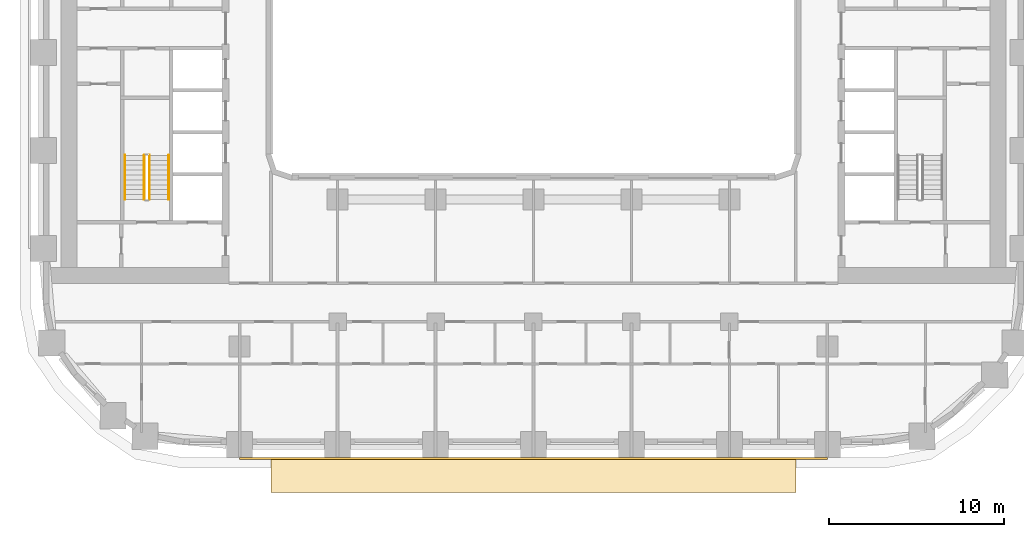
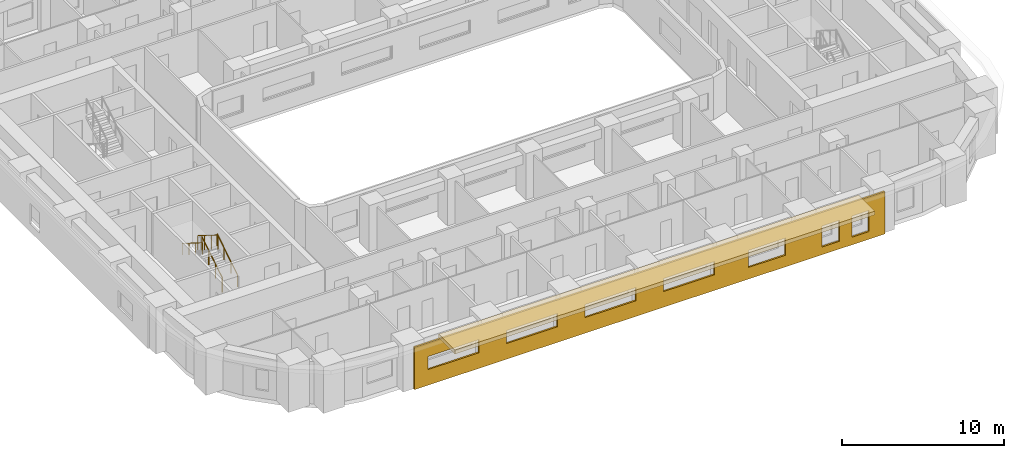
# One storey, part 11 of 20: 4 railings, 2 coverings.
"""IFC4 building model written with IfcOpenShell, lengths in metres."""

from ifc_helpers import new_model, si_unit, direction, frame, origin, origin_2d, place, context, subcontext, project, spatial, polyline, circle, outline, extrude, material, layer, layer_set, type_object, element, save


model = new_model("IFC4")

# Units and contexts
model_context = context("Model", 3, precision=1e-05, world=origin(), true_north=direction((0.0, 1.0)))
body_context = subcontext(model_context, "Body", "Model", "MODEL_VIEW")
ifc_project = project(units=[si_unit("LENGTHUNIT", "METRE"), si_unit("AREAUNIT", "SQUARE_METRE"), si_unit("VOLUMEUNIT", "CUBIC_METRE"), si_unit("PLANEANGLEUNIT", "RADIAN"), si_unit("MASSUNIT", "GRAM", prefix="KILO")], contexts=[model_context])

# Site, building, storey
site_placement = place(None, origin())
site = spatial("IfcSite", under=ifc_project, at=site_placement, CompositionType="ELEMENT")
building_placement = place(site_placement, origin())
building = spatial("IfcBuilding", under=site, at=building_placement, Name="Kiln Ring Residences", CompositionType="ELEMENT")
storey_placement = place(building_placement, frame((0.0, 0.0, 37.5)))
storey = spatial("IfcBuildingStorey", under=building, at=storey_placement, Name="L08", CompositionType="ELEMENT", Elevation=37.5)

# Railings
ifc_material_1 = material(Name="Stainless steel", Category="steel")
railing_type_1 = type_object("IfcRailingType", Name="CORE-STAIR-GUARD", PredefinedType="GUARDRAIL", material=ifc_material_1)
railing_1_placement = place(storey_placement, frame((-21.949951171875, -8.39990234375, 0.175048828125)))
element("IfcRailing", 1, at=railing_1_placement, inside=storey, type_object=railing_type_1, Name="L08 W-STS stair guard 1", PredefinedType="GUARDRAIL", context=body_context, shape_type="SweptSolid", body=[
    extrude(circle(Radius=0.02392578125, at=origin_2d()), frame((0.0, 0.0, 1.076171875), z_axis=(0.0, 0.848007534815, 0.529984170421), x_axis=(-1.0, 0.0, 0.0)), (0.0, 0.0, 1.0), 2.9716796875),
    extrude(circle(Radius=0.02099609375, at=origin_2d()), origin(), (0.0, 0.0, 1.0), 1.052001953125),
    extrude(circle(Radius=0.02099609375, at=origin_2d()), frame((0.0, 0.840087890625, 0.52490234375)), (0.0, 0.0, 1.0), 1.052001953125),
    extrude(circle(Radius=0.02099609375, at=origin_2d()), frame((0.0, 1.679931640625, 1.050048828125)), (0.0, 0.0, 1.0), 1.052001953125),
    extrude(circle(Radius=0.02099609375, at=origin_2d()), frame((0.0, 2.52001953125, 1.574951171875)), (0.0, 0.0, 1.0), 1.052001953125),
])
railing_2_placement = place(storey_placement, frame((-22.25, -5.8798828125, 1.925048828125)))
element("IfcRailing", 2, at=railing_2_placement, inside=storey, type_object=railing_type_1, Name="L08 W-STS stair guard 3", PredefinedType="GUARDRAIL", context=body_context, shape_type="SweptSolid", body=[
    extrude(circle(Radius=0.02392578125, at=origin_2d()), frame((0.0, 0.0, 1.076171875), z_axis=(0.0, -0.848007534815, 0.529984170421), x_axis=(1.0, 0.0, 0.0)), (0.0, 0.0, 1.0), 2.9716796875),
    extrude(circle(Radius=0.02099609375, at=origin_2d()), origin(), (0.0, 0.0, 1.0), 1.052001953125),
    extrude(circle(Radius=0.02099609375, at=origin_2d()), frame((0.0, -0.840087890625, 0.52490234375)), (0.0, 0.0, 1.0), 1.052001953125),
    extrude(circle(Radius=0.02099609375, at=origin_2d()), frame((0.0, -1.679931640625, 1.050048828125)), (0.0, 0.0, 1.0), 1.052001953125),
    extrude(circle(Radius=0.02099609375, at=origin_2d()), frame((0.0, -2.52001953125, 1.574951171875)), (0.0, 0.0, 1.0), 1.052001953125),
])
ifc_material_2 = material(Name="Stainless steel", Category="steel")
railing_type_2 = type_object("IfcRailingType", Name="CORE-STAIR-HANDRAIL", PredefinedType="HANDRAIL", material=ifc_material_2)
railing_3_placement = place(storey_placement, frame((-20.85009765625, -8.39990234375, 0.175048828125)))
element("IfcRailing", 3, at=railing_3_placement, inside=storey, type_object=railing_type_2, Name="L08 W-STS stair handrail 1", PredefinedType="HANDRAIL", context=body_context, shape_type="SweptSolid", body=[
    extrude(circle(Radius=0.02392578125, at=origin_2d()), frame((0.0, 0.0, 0.8759765625), z_axis=(0.0, 0.848007534815, 0.529984170421), x_axis=(-1.0, 0.0, 0.0)), (0.0, 0.0, 1.0), 2.9716796875),
    extrude(circle(Radius=0.02099609375, at=origin_2d()), origin(), (0.0, 0.0, 1.0), 0.851806640625),
    extrude(circle(Radius=0.02099609375, at=origin_2d()), frame((0.0, 0.840087890625, 0.52490234375)), (0.0, 0.0, 1.0), 0.851806640625),
    extrude(circle(Radius=0.02099609375, at=origin_2d()), frame((0.0, 1.679931640625, 1.050048828125)), (0.0, 0.0, 1.0), 0.851806640625),
    extrude(circle(Radius=0.02099609375, at=origin_2d()), frame((0.0, 2.52001953125, 1.574951171875)), (0.0, 0.0, 1.0), 0.851806640625),
])
railing_4_placement = place(storey_placement, frame((-23.35009765625, -5.8798828125, 1.925048828125)))
element("IfcRailing", 4, at=railing_4_placement, inside=storey, type_object=railing_type_2, Name="L08 W-STS stair handrail 2", PredefinedType="HANDRAIL", context=body_context, shape_type="SweptSolid", body=[
    extrude(circle(Radius=0.02392578125, at=origin_2d()), frame((0.0, 0.0, 0.8759765625), z_axis=(0.0, -0.848007534815, 0.529984170421), x_axis=(1.0, 0.0, 0.0)), (0.0, 0.0, 1.0), 2.9716796875),
    extrude(circle(Radius=0.02099609375, at=origin_2d()), origin(), (0.0, 0.0, 1.0), 0.851806640625),
    extrude(circle(Radius=0.02099609375, at=origin_2d()), frame((0.0, -0.840087890625, 0.52490234375)), (0.0, 0.0, 1.0), 0.851806640625),
    extrude(circle(Radius=0.02099609375, at=origin_2d()), frame((0.0, -1.679931640625, 1.050048828125)), (0.0, 0.0, 1.0), 0.851806640625),
    extrude(circle(Radius=0.02099609375, at=origin_2d()), frame((0.0, -2.52001953125, 1.574951171875)), (0.0, 0.0, 1.0), 0.851806640625),
])

# Coverings
ifc_material_3 = material(Name="Brick masonry, dark clay brick", Category="masonry")
ifc_layer_1 = layer(ifc_material_3, 0.1201171875)
ifc_layer_set_1 = layer_set([ifc_layer_1], Name="RAINSCREEN PANEL 120")
covering_type_1 = type_object("IfcCoveringType", Name="RAINSCREEN PANEL 120", PredefinedType="CLADDING", material=ifc_layer_set_1)
covering_1_placement = place(storey_placement, frame((-16.800048828125, -23.2099609375, 0.0), z_axis=(0.0, 0.0, 1.0), x_axis=(1.0, 0.0, 0.0)))
element("IfcCovering", 5, at=covering_1_placement, inside=storey, type_object=covering_type_1, Name="RAINSCREEN L08", PredefinedType="CLADDING", context=body_context, shape_type="SweptSolid", body=[
    extrude(outline(polyline([(0.0, 0.0), (33.60009765625, 0.0), (33.60009765625, 3.199951171875), (0.0, 3.199951171875), (0.0, 0.0)]), holes=[polyline([(30.357421875, 0.580078125), (30.357421875, 2.169921875), (29.117431640625, 2.169921875), (29.117431640625, 0.580078125), (30.357421875, 0.580078125)]), polyline([(31.242431640625, 0.580078125), (32.482421875, 0.580078125), (32.482421875, 2.169921875), (31.242431640625, 2.169921875), (31.242431640625, 0.580078125)]), polyline([(23.8798828125, 0.8798828125), (26.52001953125, 0.8798828125), (26.52001953125, 2.169921875), (23.8798828125, 2.169921875), (23.8798828125, 0.8798828125)]), polyline([(0.97998046875, 1.179931640625), (4.6201171875, 1.179931640625), (4.6201171875, 2.169921875), (0.97998046875, 2.169921875), (0.97998046875, 1.179931640625)]), polyline([(6.580078125, 1.179931640625), (10.219970703125, 1.179931640625), (10.219970703125, 2.169921875), (6.580078125, 2.169921875), (6.580078125, 1.179931640625)]), polyline([(12.179931640625, 1.179931640625), (15.820068359375, 1.179931640625), (15.820068359375, 2.169921875), (12.179931640625, 2.169921875), (12.179931640625, 1.179931640625)]), polyline([(17.780029296875, 1.179931640625), (21.419921875, 1.179931640625), (21.419921875, 2.169921875), (17.780029296875, 2.169921875), (17.780029296875, 1.179931640625)])]), frame((0.0, 0.06005859375, 0.0), z_axis=(0.0, -1.0, 0.0), x_axis=(1.0, 0.0, 0.0)), (0.0, 0.0, 1.0), 0.1201171875),
])
ifc_material_4 = material(Name="Black powder-coated steel", Category="steel")
ifc_layer_2 = layer(ifc_material_4, 0.300048828125)
ifc_layer_set_2 = layer_set([ifc_layer_2], Name="SUNSHADE BAND 2000")
covering_type_2 = type_object("IfcCoveringType", Name="SUNSHADE BAND 2000", PredefinedType="CLADDING", material=ifc_layer_set_2)
covering_2_placement = place(storey_placement, frame((0.0, 0.0, 3.199951171875)))
element("IfcCovering", 6, at=covering_2_placement, inside=storey, type_object=covering_type_2, Name="SUNSHADE BAND L08", PredefinedType="CLADDING", context=body_context, shape_type="SweptSolid", body=[
    extrude(outline(polyline([(-15.0, -25.14990234375), (15.0, -25.14990234375), (15.0, -23.14990234375), (-15.0, -23.14990234375), (-15.0, -25.14990234375)])), origin(), (0.0, 0.0, 1.0), 0.300048828125),
])

save(model, "model.ifc")
